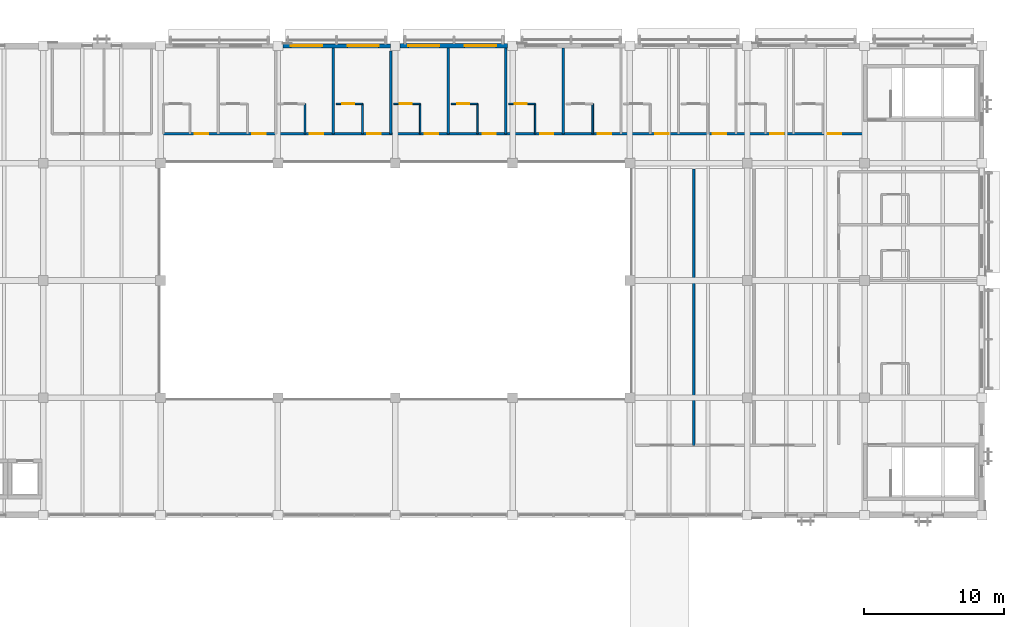
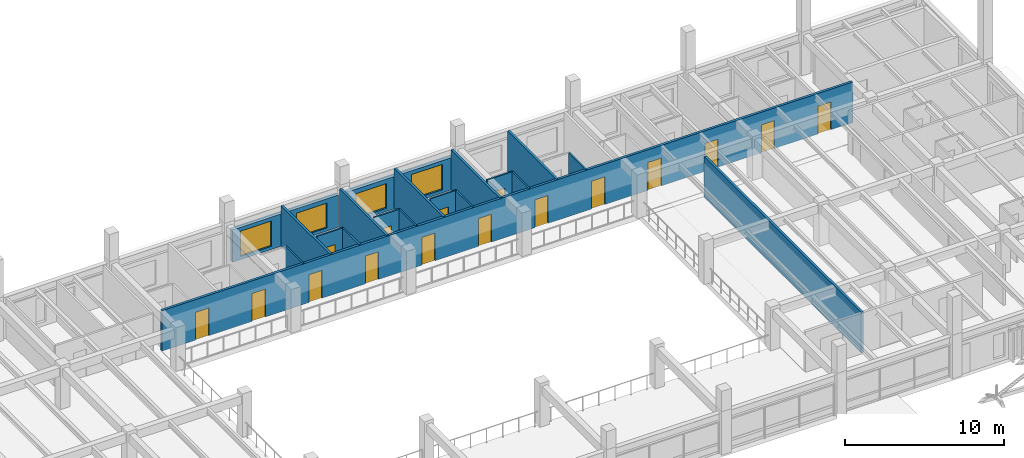
# One storey, part 94 of 123: 19 walls, 16 doors, 4 windows, 20 openings.
"""IFC4 building model written with IfcOpenShell, lengths in metres."""

from ifc_helpers import new_model, si_unit, direction, frame, frame_2d, origin, place, context, subcontext, project, spatial, rectangle, extrude, material, layer, layer_set, type_object, element, fill, save


model = new_model("IFC4")

# Units and contexts
model_context = context("Model", 3, precision=1e-05, world=origin(), true_north=direction((0.0, 1.0)))
body_context = subcontext(model_context, "Body", "Model", "MODEL_VIEW")
ifc_project = project(units=[si_unit("LENGTHUNIT", "METRE"), si_unit("AREAUNIT", "SQUARE_METRE"), si_unit("VOLUMEUNIT", "CUBIC_METRE"), si_unit("PLANEANGLEUNIT", "RADIAN"), si_unit("MASSUNIT", "GRAM", prefix="KILO")], contexts=[model_context])

# Site, building, storey
site_placement = place(None, origin())
site = spatial("IfcSite", under=ifc_project, at=site_placement, CompositionType="ELEMENT")
building_placement = place(site_placement, origin())
building = spatial("IfcBuilding", under=site, at=building_placement, Name="Cumbredor Promenade Congress Hotel", CompositionType="ELEMENT")
storey_placement = place(building_placement, frame((0.0, 0.0, 11.760009765625)))
storey = spatial("IfcBuildingStorey", under=building, at=storey_placement, Name="L03", CompositionType="ELEMENT", Elevation=11.760009765625)

# Wall
ifc_material_1 = material(Name="Moisture-resistant gypsum board on steel studs", Category="steel")
ifc_layer_1 = layer(ifc_material_1, 0.114990234375, Name="Moisture-resistant gypsum board on steel studs", Category="steel")
ifc_layer_set_1 = layer_set([ifc_layer_1], Name="Moisture-resistant gypsum board on steel studs")
wall_type_1 = type_object("IfcWallType", Name="WL-BATH-115", PredefinedType="PARTITIONING", material=ifc_layer_set_1)
wall_1_placement = place(storey_placement, frame((127.93994140625, 111.300048828125, 0.0), z_axis=(0.0, 0.0, 1.0), x_axis=(0.0, 1.0, 0.0)))
element("IfcWall", 1, at=wall_1_placement, inside=storey, type_object=wall_type_1, Name="L03 Interior Partition W-L03-FBV-F0303", PredefinedType="PARTITIONING", context=body_context, shape_type="SweptSolid", body=[
    extrude(rectangle(XDim=2.14990234375, YDim=0.114990234375, at=frame_2d((1.074951171875, 0.0))), origin(), (0.0, 0.0, 1.0), 3.125),
])

# Wall, opening, door
wall_2_placement = place(storey_placement, frame((130.159912109375, 113.449951171875, 0.0), z_axis=(0.0, 0.0, 1.0), x_axis=(1.0, 0.0, 0.0)))
wall_2 = element("IfcWall", 2, at=wall_2_placement, inside=storey, type_object=wall_type_1, Name="L03 Interior Partition W-L03-FBH-F0304", PredefinedType="PARTITIONING", context=body_context, shape_type="SweptSolid", body=[
    extrude(rectangle(XDim=1.900146484375, YDim=0.114990234375, at=frame_2d((0.9501953125, 0.0))), origin(), (0.0, 0.0, 1.0), 3.125),
])
opening_1_placement = place(wall_2_placement, frame((0.449951171875, 0.0, 0.0)))
opening_1 = element("IfcOpeningElement", 3, at=opening_1_placement, cuts=wall_2, Name="Opening ID-01", PredefinedType="OPENING", context=body_context, shape_type="SweptSolid", body=[
    extrude(rectangle(XDim=0.860107421875, YDim=2.050048828125, at=frame_2d((0.43017578125, 1.02490234375))), frame((0.0, 0.0673828125, 0.0), z_axis=(0.0, -1.0, 0.0), x_axis=(1.0, 0.0, 0.0)), (0.0, 0.0, 1.0), 0.135009765625),
])
ifc_material_2 = material(Name="Kiln-dried tropical hardwood", Category="wood")
door_type_1 = type_object("IfcDoorType", Name="DR-BATH-860", OperationType="NOTDEFINED", PredefinedType="DOOR", material=ifc_material_2)
door_1_placement = place(opening_1_placement, origin())
door_1 = element("IfcDoor", 4, at=door_1_placement, inside=storey, type_object=door_type_1, Name="L03 Interior Door W-L03-FBH-F0304-01", OperationType="SINGLE_SWING_RIGHT", OverallHeight=2.050048828125, OverallWidth=0.860107421875, PredefinedType="DOOR", context=body_context, shape_type="SweptSolid", body=[
    extrude(rectangle(XDim=0.860107421875, YDim=2.050048828125, at=frame_2d((0.43017578125, 1.02490234375))), frame((0.0, 0.02490234375, 0.0), z_axis=(0.0, -1.0, 0.0), x_axis=(1.0, 0.0, 0.0)), (0.0, 0.0, 1.0), 0.050048828125),
])
fill(opening_1, door_1)

# Wall
wall_3_placement = place(storey_placement, frame((132.06005859375, 111.300048828125, 0.0), z_axis=(0.0, 0.0, 1.0), x_axis=(0.0, 1.0, 0.0)))
element("IfcWall", 5, at=wall_3_placement, inside=storey, type_object=wall_type_1, Name="L03 Interior Partition W-L03-FBV-F0304", PredefinedType="PARTITIONING", context=body_context, shape_type="SweptSolid", body=[
    extrude(rectangle(XDim=2.14990234375, YDim=0.114990234375, at=frame_2d((1.074951171875, 0.0))), origin(), (0.0, 0.0, 1.0), 3.125),
])

# Wall, opening, door
wall_4_placement = place(storey_placement, frame((134.280029296875, 113.449951171875, 0.0), z_axis=(0.0, 0.0, 1.0), x_axis=(1.0, 0.0, 0.0)))
wall_4 = element("IfcWall", 6, at=wall_4_placement, inside=storey, type_object=wall_type_1, Name="L03 Interior Partition W-L03-FBH-F0305", PredefinedType="PARTITIONING", context=body_context, shape_type="SweptSolid", body=[
    extrude(rectangle(XDim=1.89990234375, YDim=0.114990234375, at=frame_2d((0.949951171875, 0.0))), origin(), (0.0, 0.0, 1.0), 3.125),
])
opening_2_placement = place(wall_4_placement, frame((0.449951171875, 0.0, 0.0)))
opening_2 = element("IfcOpeningElement", 7, at=opening_2_placement, cuts=wall_4, Name="Opening ID-01", PredefinedType="OPENING", context=body_context, shape_type="SweptSolid", body=[
    extrude(rectangle(XDim=0.860107421875, YDim=2.050048828125, at=frame_2d((0.43017578125, 1.02490234375))), frame((0.0, 0.0673828125, 0.0), z_axis=(0.0, -1.0, 0.0), x_axis=(1.0, 0.0, 0.0)), (0.0, 0.0, 1.0), 0.135009765625),
])
door_2_placement = place(opening_2_placement, origin())
door_2 = element("IfcDoor", 8, at=door_2_placement, inside=storey, type_object=door_type_1, Name="L03 Interior Door W-L03-FBH-F0305-01", OperationType="SINGLE_SWING_LEFT", OverallHeight=2.050048828125, OverallWidth=0.860107421875, PredefinedType="DOOR", context=body_context, shape_type="SweptSolid", body=[
    extrude(rectangle(XDim=0.860107421875, YDim=2.050048828125, at=frame_2d((0.43017578125, 1.02490234375))), frame((0.0, 0.02490234375, 0.0), z_axis=(0.0, -1.0, 0.0), x_axis=(1.0, 0.0, 0.0)), (0.0, 0.0, 1.0), 0.050048828125),
])
fill(opening_2, door_2)

# Wall
wall_5_placement = place(storey_placement, frame((136.179931640625, 111.300048828125, 0.0), z_axis=(0.0, 0.0, 1.0), x_axis=(0.0, 1.0, 0.0)))
element("IfcWall", 9, at=wall_5_placement, inside=storey, type_object=wall_type_1, Name="L03 Interior Partition W-L03-FBV-F0305", PredefinedType="PARTITIONING", context=body_context, shape_type="SweptSolid", body=[
    extrude(rectangle(XDim=2.14990234375, YDim=0.114990234375, at=frame_2d((1.074951171875, 0.0))), origin(), (0.0, 0.0, 1.0), 3.125),
])

# Wall, opening, door
wall_6_placement = place(storey_placement, frame((138.39990234375, 113.449951171875, 0.0), z_axis=(0.0, 0.0, 1.0), x_axis=(1.0, 0.0, 0.0)))
wall_6 = element("IfcWall", 10, at=wall_6_placement, inside=storey, type_object=wall_type_1, Name="L03 Interior Partition W-L03-FBH-F0306", PredefinedType="PARTITIONING", context=body_context, shape_type="SweptSolid", body=[
    extrude(rectangle(XDim=1.900146484375, YDim=0.114990234375, at=frame_2d((0.9501953125, 0.0))), origin(), (0.0, 0.0, 1.0), 3.125),
])
opening_3_placement = place(wall_6_placement, frame((0.449951171875, 0.0, 0.0)))
opening_3 = element("IfcOpeningElement", 11, at=opening_3_placement, cuts=wall_6, Name="Opening ID-01", PredefinedType="OPENING", context=body_context, shape_type="SweptSolid", body=[
    extrude(rectangle(XDim=0.860107421875, YDim=2.050048828125, at=frame_2d((0.43017578125, 1.02490234375))), frame((0.0, 0.0673828125, 0.0), z_axis=(0.0, -1.0, 0.0), x_axis=(1.0, 0.0, 0.0)), (0.0, 0.0, 1.0), 0.135009765625),
])
door_3_placement = place(opening_3_placement, origin())
door_3 = element("IfcDoor", 12, at=door_3_placement, inside=storey, type_object=door_type_1, Name="L03 Interior Door W-L03-FBH-F0306-01", OperationType="SINGLE_SWING_RIGHT", OverallHeight=2.050048828125, OverallWidth=0.860107421875, PredefinedType="DOOR", context=body_context, shape_type="SweptSolid", body=[
    extrude(rectangle(XDim=0.860107421875, YDim=2.050048828125, at=frame_2d((0.43017578125, 1.02490234375))), frame((0.0, 0.02490234375, 0.0), z_axis=(0.0, -1.0, 0.0), x_axis=(1.0, 0.0, 0.0)), (0.0, 0.0, 1.0), 0.050048828125),
])
fill(opening_3, door_3)

# Wall
wall_7_placement = place(storey_placement, frame((140.300048828125, 111.300048828125, 0.0), z_axis=(0.0, 0.0, 1.0), x_axis=(0.0, 1.0, 0.0)))
element("IfcWall", 13, at=wall_7_placement, inside=storey, type_object=wall_type_1, Name="L03 Interior Partition W-L03-FBV-F0306", PredefinedType="PARTITIONING", context=body_context, shape_type="SweptSolid", body=[
    extrude(rectangle(XDim=2.14990234375, YDim=0.114990234375, at=frame_2d((1.074951171875, 0.0))), origin(), (0.0, 0.0, 1.0), 3.125),
])

# Wall, opening, door
wall_8_placement = place(storey_placement, frame((142.52001953125, 113.449951171875, 0.0), z_axis=(0.0, 0.0, 1.0), x_axis=(1.0, 0.0, 0.0)))
wall_8 = element("IfcWall", 14, at=wall_8_placement, inside=storey, type_object=wall_type_1, Name="L03 Interior Partition W-L03-FBH-F0307", PredefinedType="PARTITIONING", context=body_context, shape_type="SweptSolid", body=[
    extrude(rectangle(XDim=1.89990234375, YDim=0.114990234375, at=frame_2d((0.949951171875, 0.0))), origin(), (0.0, 0.0, 1.0), 3.125),
])
opening_4_placement = place(wall_8_placement, frame((0.449951171875, 0.0, 0.0)))
opening_4 = element("IfcOpeningElement", 15, at=opening_4_placement, cuts=wall_8, Name="Opening ID-01", PredefinedType="OPENING", context=body_context, shape_type="SweptSolid", body=[
    extrude(rectangle(XDim=0.860107421875, YDim=2.050048828125, at=frame_2d((0.43017578125, 1.02490234375))), frame((0.0, 0.0673828125, 0.0), z_axis=(0.0, -1.0, 0.0), x_axis=(1.0, 0.0, 0.0)), (0.0, 0.0, 1.0), 0.135009765625),
])
door_4_placement = place(opening_4_placement, origin())
door_4 = element("IfcDoor", 16, at=door_4_placement, inside=storey, type_object=door_type_1, Name="L03 Interior Door W-L03-FBH-F0307-01", OperationType="SINGLE_SWING_LEFT", OverallHeight=2.050048828125, OverallWidth=0.860107421875, PredefinedType="DOOR", context=body_context, shape_type="SweptSolid", body=[
    extrude(rectangle(XDim=0.860107421875, YDim=2.050048828125, at=frame_2d((0.43017578125, 1.02490234375))), frame((0.0, 0.02490234375, 0.0), z_axis=(0.0, -1.0, 0.0), x_axis=(1.0, 0.0, 0.0)), (0.0, 0.0, 1.0), 0.050048828125),
])
fill(opening_4, door_4)

# Walls
for number, where, z_axis, x_axis, name in (
    (17, (144.419921875, 111.300048828125, 0.0), (0.0, 0.0, 1.0), (0.0, 1.0, 0.0), "L03 Interior Partition W-L03-FBV-F0307"),
    (18, (148.5400390625, 111.300048828125, 0.0), (0.0, 0.0, 1.0), (0.0, 1.0, 0.0), "L03 Interior Partition W-L03-FBV-F0308"),
):
    element("IfcWall", number, at=place(storey_placement, frame(where, z_axis=z_axis, x_axis=x_axis)), inside=storey, type_object=wall_type_1, Name=name, PredefinedType="PARTITIONING", context=body_context, shape_type="SweptSolid", body=[
        extrude(rectangle(XDim=2.14990234375, YDim=0.114990234375, at=frame_2d((1.074951171875, 0.0))), origin(), (0.0, 0.0, 1.0), 3.125),
    ])

# Wall, openings, doors
ifc_material_3 = material(Name="Fire-rated hotel corridor wall")
ifc_layer_2 = layer(ifc_material_3, 0.179931640625, Name="Fire-rated hotel corridor wall")
ifc_layer_set_2 = layer_set([ifc_layer_2], Name="Fire-rated hotel corridor wall")
wall_type_2 = type_object("IfcWallType", Name="WL-CORR-180", PredefinedType="PARTITIONING", material=ifc_layer_set_2)
wall_9_placement = place(storey_placement, frame((117.60009765625, 111.300048828125, 0.0), z_axis=(0.0, 0.0, 1.0), x_axis=(1.0, 0.0, 0.0)))
wall_9 = element("IfcWall", 19, at=wall_9_placement, inside=storey, type_object=wall_type_2, Name="L03 Interior Partition W-L03-FCORRW", PredefinedType="PARTITIONING", context=body_context, shape_type="SweptSolid", body=[
    extrude(rectangle(XDim=50.31982421875, YDim=0.179931640625, at=frame_2d((25.159912109375, 0.0))), origin(), (0.0, 0.0, 1.0), 3.125),
])
opening_5_placement = place(wall_9_placement, frame((2.449951171875, 0.0, 0.0)))
opening_5 = element("IfcOpeningElement", 20, at=opening_5_placement, cuts=wall_9, Name="Opening FD-01", PredefinedType="OPENING", context=body_context, shape_type="SweptSolid", body=[
    extrude(rectangle(XDim=0.9599609375, YDim=2.14990234375, at=frame_2d((0.47998046875, 1.074951171875))), frame((0.0, 0.10009765625, 0.0), z_axis=(0.0, -1.0, 0.0), x_axis=(1.0, 0.0, 0.0)), (0.0, 0.0, 1.0), 0.199951171875),
])
opening_6_placement = place(wall_9_placement, frame((6.570068359375, 0.0, 0.0)))
opening_6 = element("IfcOpeningElement", 21, at=opening_6_placement, cuts=wall_9, Name="Opening FD-01", PredefinedType="OPENING", context=body_context, shape_type="SweptSolid", body=[
    extrude(rectangle(XDim=0.9599609375, YDim=2.14990234375, at=frame_2d((0.47998046875, 1.074951171875))), frame((0.0, 0.10009765625, 0.0), z_axis=(0.0, -1.0, 0.0), x_axis=(1.0, 0.0, 0.0)), (0.0, 0.0, 1.0), 0.199951171875),
])
opening_7_placement = place(wall_9_placement, frame((10.68994140625, 0.0, 0.0)))
opening_7 = element("IfcOpeningElement", 22, at=opening_7_placement, cuts=wall_9, Name="Opening FD-01", PredefinedType="OPENING", context=body_context, shape_type="SweptSolid", body=[
    extrude(rectangle(XDim=0.9599609375, YDim=2.14990234375, at=frame_2d((0.47998046875, 1.074951171875))), frame((0.0, 0.10009765625, 0.0), z_axis=(0.0, -1.0, 0.0), x_axis=(1.0, 0.0, 0.0)), (0.0, 0.0, 1.0), 0.199951171875),
])
opening_8_placement = place(wall_9_placement, frame((14.81005859375, 0.0, 0.0)))
opening_8 = element("IfcOpeningElement", 23, at=opening_8_placement, cuts=wall_9, Name="Opening FD-01", PredefinedType="OPENING", context=body_context, shape_type="SweptSolid", body=[
    extrude(rectangle(XDim=0.9599609375, YDim=2.14990234375, at=frame_2d((0.47998046875, 1.074951171875))), frame((0.0, 0.10009765625, 0.0), z_axis=(0.0, -1.0, 0.0), x_axis=(1.0, 0.0, 0.0)), (0.0, 0.0, 1.0), 0.199951171875),
])
opening_9_placement = place(wall_9_placement, frame((18.929931640625, 0.0, 0.0)))
opening_9 = element("IfcOpeningElement", 24, at=opening_9_placement, cuts=wall_9, Name="Opening FD-01", PredefinedType="OPENING", context=body_context, shape_type="SweptSolid", body=[
    extrude(rectangle(XDim=0.9599609375, YDim=2.14990234375, at=frame_2d((0.47998046875, 1.074951171875))), frame((0.0, 0.10009765625, 0.0), z_axis=(0.0, -1.0, 0.0), x_axis=(1.0, 0.0, 0.0)), (0.0, 0.0, 1.0), 0.199951171875),
])
opening_10_placement = place(wall_9_placement, frame((23.050048828125, 0.0, 0.0)))
opening_10 = element("IfcOpeningElement", 25, at=opening_10_placement, cuts=wall_9, Name="Opening FD-01", PredefinedType="OPENING", context=body_context, shape_type="SweptSolid", body=[
    extrude(rectangle(XDim=0.9599609375, YDim=2.14990234375, at=frame_2d((0.47998046875, 1.074951171875))), frame((0.0, 0.10009765625, 0.0), z_axis=(0.0, -1.0, 0.0), x_axis=(1.0, 0.0, 0.0)), (0.0, 0.0, 1.0), 0.199951171875),
])
opening_11_placement = place(wall_9_placement, frame((27.169921875, 0.0, 0.0)))
opening_11 = element("IfcOpeningElement", 26, at=opening_11_placement, cuts=wall_9, Name="Opening FD-01", PredefinedType="OPENING", context=body_context, shape_type="SweptSolid", body=[
    extrude(rectangle(XDim=0.9599609375, YDim=2.14990234375, at=frame_2d((0.47998046875, 1.074951171875))), frame((0.0, 0.10009765625, 0.0), z_axis=(0.0, -1.0, 0.0), x_axis=(1.0, 0.0, 0.0)), (0.0, 0.0, 1.0), 0.199951171875),
])
opening_12_placement = place(wall_9_placement, frame((31.2900390625, 0.0, 0.0)))
opening_12 = element("IfcOpeningElement", 27, at=opening_12_placement, cuts=wall_9, Name="Opening FD-01", PredefinedType="OPENING", context=body_context, shape_type="SweptSolid", body=[
    extrude(rectangle(XDim=0.9599609375, YDim=2.14990234375, at=frame_2d((0.47998046875, 1.074951171875))), frame((0.0, 0.10009765625, 0.0), z_axis=(0.0, -1.0, 0.0), x_axis=(1.0, 0.0, 0.0)), (0.0, 0.0, 1.0), 0.199951171875),
])
opening_13_placement = place(wall_9_placement, frame((35.409912109375, 0.0, 0.0)))
opening_13 = element("IfcOpeningElement", 28, at=opening_13_placement, cuts=wall_9, Name="Opening FD-01", PredefinedType="OPENING", context=body_context, shape_type="SweptSolid", body=[
    extrude(rectangle(XDim=0.9599609375, YDim=2.14990234375, at=frame_2d((0.47998046875, 1.074951171875))), frame((0.0, 0.10009765625, 0.0), z_axis=(0.0, -1.0, 0.0), x_axis=(1.0, 0.0, 0.0)), (0.0, 0.0, 1.0), 0.199951171875),
])
opening_14_placement = place(wall_9_placement, frame((39.530029296875, 0.0, 0.0)))
opening_14 = element("IfcOpeningElement", 29, at=opening_14_placement, cuts=wall_9, Name="Opening FD-01", PredefinedType="OPENING", context=body_context, shape_type="SweptSolid", body=[
    extrude(rectangle(XDim=0.9599609375, YDim=2.14990234375, at=frame_2d((0.47998046875, 1.074951171875))), frame((0.0, 0.10009765625, 0.0), z_axis=(0.0, -1.0, 0.0), x_axis=(1.0, 0.0, 0.0)), (0.0, 0.0, 1.0), 0.199951171875),
])
opening_15_placement = place(wall_9_placement, frame((43.64990234375, 0.0, 0.0)))
opening_15 = element("IfcOpeningElement", 30, at=opening_15_placement, cuts=wall_9, Name="Opening FD-01", PredefinedType="OPENING", context=body_context, shape_type="SweptSolid", body=[
    extrude(rectangle(XDim=0.9599609375, YDim=2.14990234375, at=frame_2d((0.47998046875, 1.074951171875))), frame((0.0, 0.10009765625, 0.0), z_axis=(0.0, -1.0, 0.0), x_axis=(1.0, 0.0, 0.0)), (0.0, 0.0, 1.0), 0.199951171875),
])
opening_16_placement = place(wall_9_placement, frame((47.77001953125, 0.0, 0.0)))
opening_16 = element("IfcOpeningElement", 31, at=opening_16_placement, cuts=wall_9, Name="Opening FD-01", PredefinedType="OPENING", context=body_context, shape_type="SweptSolid", body=[
    extrude(rectangle(XDim=0.9599609375, YDim=2.14990234375, at=frame_2d((0.47998046875, 1.074951171875))), frame((0.0, 0.10009765625, 0.0), z_axis=(0.0, -1.0, 0.0), x_axis=(1.0, 0.0, 0.0)), (0.0, 0.0, 1.0), 0.199951171875),
])
ifc_material_4 = material(Name="Solid-core fire-rated tropical hardwood", Category="wood")
door_type_2 = type_object("IfcDoorType", Name="DR-GUEST-FD30-950", OperationType="NOTDEFINED", PredefinedType="DOOR", material=ifc_material_4)
door_5_placement = place(opening_5_placement, origin())
door_5 = element("IfcDoor", 32, at=door_5_placement, inside=storey, type_object=door_type_2, Name="L03 Interior Door W-L03-FCORRW-01", OperationType="SINGLE_SWING_RIGHT", OverallHeight=2.14990234375, OverallWidth=0.9599609375, PredefinedType="DOOR", context=body_context, shape_type="SweptSolid", body=[
    extrude(rectangle(XDim=0.9599609375, YDim=2.14990234375, at=frame_2d((0.47998046875, 1.074951171875))), frame((0.0, 0.02490234375, 0.0), z_axis=(0.0, -1.0, 0.0), x_axis=(1.0, 0.0, 0.0)), (0.0, 0.0, 1.0), 0.050048828125),
])
fill(opening_5, door_5)
door_6_placement = place(opening_6_placement, origin())
door_6 = element("IfcDoor", 33, at=door_6_placement, inside=storey, type_object=door_type_2, Name="L03 Interior Door W-L03-FCORRW-02", OperationType="SINGLE_SWING_LEFT", OverallHeight=2.14990234375, OverallWidth=0.9599609375, PredefinedType="DOOR", context=body_context, shape_type="SweptSolid", body=[
    extrude(rectangle(XDim=0.9599609375, YDim=2.14990234375, at=frame_2d((0.47998046875, 1.074951171875))), frame((0.0, 0.02490234375, 0.0), z_axis=(0.0, -1.0, 0.0), x_axis=(1.0, 0.0, 0.0)), (0.0, 0.0, 1.0), 0.050048828125),
])
fill(opening_6, door_6)
door_7_placement = place(opening_7_placement, origin())
door_7 = element("IfcDoor", 34, at=door_7_placement, inside=storey, type_object=door_type_2, Name="L03 Interior Door W-L03-FCORRW-03", OperationType="SINGLE_SWING_RIGHT", OverallHeight=2.14990234375, OverallWidth=0.9599609375, PredefinedType="DOOR", context=body_context, shape_type="SweptSolid", body=[
    extrude(rectangle(XDim=0.9599609375, YDim=2.14990234375, at=frame_2d((0.47998046875, 1.074951171875))), frame((0.0, 0.02490234375, 0.0), z_axis=(0.0, -1.0, 0.0), x_axis=(1.0, 0.0, 0.0)), (0.0, 0.0, 1.0), 0.050048828125),
])
fill(opening_7, door_7)
door_8_placement = place(opening_8_placement, origin())
door_8 = element("IfcDoor", 35, at=door_8_placement, inside=storey, type_object=door_type_2, Name="L03 Interior Door W-L03-FCORRW-04", OperationType="SINGLE_SWING_LEFT", OverallHeight=2.14990234375, OverallWidth=0.9599609375, PredefinedType="DOOR", context=body_context, shape_type="SweptSolid", body=[
    extrude(rectangle(XDim=0.9599609375, YDim=2.14990234375, at=frame_2d((0.47998046875, 1.074951171875))), frame((0.0, 0.02490234375, 0.0), z_axis=(0.0, -1.0, 0.0), x_axis=(1.0, 0.0, 0.0)), (0.0, 0.0, 1.0), 0.050048828125),
])
fill(opening_8, door_8)
door_9_placement = place(opening_9_placement, origin())
door_9 = element("IfcDoor", 36, at=door_9_placement, inside=storey, type_object=door_type_2, Name="L03 Interior Door W-L03-FCORRW-05", OperationType="SINGLE_SWING_RIGHT", OverallHeight=2.14990234375, OverallWidth=0.9599609375, PredefinedType="DOOR", context=body_context, shape_type="SweptSolid", body=[
    extrude(rectangle(XDim=0.9599609375, YDim=2.14990234375, at=frame_2d((0.47998046875, 1.074951171875))), frame((0.0, 0.02490234375, 0.0), z_axis=(0.0, -1.0, 0.0), x_axis=(1.0, 0.0, 0.0)), (0.0, 0.0, 1.0), 0.050048828125),
])
fill(opening_9, door_9)
door_10_placement = place(opening_10_placement, origin())
door_10 = element("IfcDoor", 37, at=door_10_placement, inside=storey, type_object=door_type_2, Name="L03 Interior Door W-L03-FCORRW-06", OperationType="SINGLE_SWING_LEFT", OverallHeight=2.14990234375, OverallWidth=0.9599609375, PredefinedType="DOOR", context=body_context, shape_type="SweptSolid", body=[
    extrude(rectangle(XDim=0.9599609375, YDim=2.14990234375, at=frame_2d((0.47998046875, 1.074951171875))), frame((0.0, 0.02490234375, 0.0), z_axis=(0.0, -1.0, 0.0), x_axis=(1.0, 0.0, 0.0)), (0.0, 0.0, 1.0), 0.050048828125),
])
fill(opening_10, door_10)
door_11_placement = place(opening_11_placement, origin())
door_11 = element("IfcDoor", 38, at=door_11_placement, inside=storey, type_object=door_type_2, Name="L03 Interior Door W-L03-FCORRW-07", OperationType="SINGLE_SWING_RIGHT", OverallHeight=2.14990234375, OverallWidth=0.9599609375, PredefinedType="DOOR", context=body_context, shape_type="SweptSolid", body=[
    extrude(rectangle(XDim=0.9599609375, YDim=2.14990234375, at=frame_2d((0.47998046875, 1.074951171875))), frame((0.0, 0.02490234375, 0.0), z_axis=(0.0, -1.0, 0.0), x_axis=(1.0, 0.0, 0.0)), (0.0, 0.0, 1.0), 0.050048828125),
])
fill(opening_11, door_11)
door_12_placement = place(opening_12_placement, origin())
door_12 = element("IfcDoor", 39, at=door_12_placement, inside=storey, type_object=door_type_2, Name="L03 Interior Door W-L03-FCORRW-08", OperationType="SINGLE_SWING_LEFT", OverallHeight=2.14990234375, OverallWidth=0.9599609375, PredefinedType="DOOR", context=body_context, shape_type="SweptSolid", body=[
    extrude(rectangle(XDim=0.9599609375, YDim=2.14990234375, at=frame_2d((0.47998046875, 1.074951171875))), frame((0.0, 0.02490234375, 0.0), z_axis=(0.0, -1.0, 0.0), x_axis=(1.0, 0.0, 0.0)), (0.0, 0.0, 1.0), 0.050048828125),
])
fill(opening_12, door_12)
door_13_placement = place(opening_13_placement, origin())
door_13 = element("IfcDoor", 40, at=door_13_placement, inside=storey, type_object=door_type_2, Name="L03 Interior Door W-L03-FCORRW-09", OperationType="SINGLE_SWING_RIGHT", OverallHeight=2.14990234375, OverallWidth=0.9599609375, PredefinedType="DOOR", context=body_context, shape_type="SweptSolid", body=[
    extrude(rectangle(XDim=0.9599609375, YDim=2.14990234375, at=frame_2d((0.47998046875, 1.074951171875))), frame((0.0, 0.02490234375, 0.0), z_axis=(0.0, -1.0, 0.0), x_axis=(1.0, 0.0, 0.0)), (0.0, 0.0, 1.0), 0.050048828125),
])
fill(opening_13, door_13)
door_14_placement = place(opening_14_placement, origin())
door_14 = element("IfcDoor", 41, at=door_14_placement, inside=storey, type_object=door_type_2, Name="L03 Interior Door W-L03-FCORRW-10", OperationType="SINGLE_SWING_LEFT", OverallHeight=2.14990234375, OverallWidth=0.9599609375, PredefinedType="DOOR", context=body_context, shape_type="SweptSolid", body=[
    extrude(rectangle(XDim=0.9599609375, YDim=2.14990234375, at=frame_2d((0.47998046875, 1.074951171875))), frame((0.0, 0.02490234375, 0.0), z_axis=(0.0, -1.0, 0.0), x_axis=(1.0, 0.0, 0.0)), (0.0, 0.0, 1.0), 0.050048828125),
])
fill(opening_14, door_14)
door_15_placement = place(opening_15_placement, origin())
door_15 = element("IfcDoor", 42, at=door_15_placement, inside=storey, type_object=door_type_2, Name="L03 Interior Door W-L03-FCORRW-11", OperationType="SINGLE_SWING_RIGHT", OverallHeight=2.14990234375, OverallWidth=0.9599609375, PredefinedType="DOOR", context=body_context, shape_type="SweptSolid", body=[
    extrude(rectangle(XDim=0.9599609375, YDim=2.14990234375, at=frame_2d((0.47998046875, 1.074951171875))), frame((0.0, 0.02490234375, 0.0), z_axis=(0.0, -1.0, 0.0), x_axis=(1.0, 0.0, 0.0)), (0.0, 0.0, 1.0), 0.050048828125),
])
fill(opening_15, door_15)
door_16_placement = place(opening_16_placement, origin())
door_16 = element("IfcDoor", 43, at=door_16_placement, inside=storey, type_object=door_type_2, Name="L03 Interior Door W-L03-FCORRW-12", OperationType="SINGLE_SWING_LEFT", OverallHeight=2.14990234375, OverallWidth=0.9599609375, PredefinedType="DOOR", context=body_context, shape_type="SweptSolid", body=[
    extrude(rectangle(XDim=0.9599609375, YDim=2.14990234375, at=frame_2d((0.47998046875, 1.074951171875))), frame((0.0, 0.02490234375, 0.0), z_axis=(0.0, -1.0, 0.0), x_axis=(1.0, 0.0, 0.0)), (0.0, 0.0, 1.0), 0.050048828125),
])
fill(opening_16, door_16)

# Wall, openings, windows
ifc_material_5 = material(Name="Concrete C40/50", Category="concrete")
ifc_layer_3 = layer(ifc_material_5, 0.280029296875, Name="Concrete C40/50", Category="concrete")
ifc_layer_set_3 = layer_set([ifc_layer_3], Name="Concrete C40/50")
wall_type_3 = type_object("IfcWallType", Name="WL-EXT-280", PredefinedType="SOLIDWALL", material=ifc_layer_set_3)
wall_10_placement = place(storey_placement, frame((126.35107421875, 117.60009765625, 0.0), z_axis=(0.0, 0.0, 1.0), x_axis=(1.0, 0.0, 0.0)))
wall_10 = element("IfcWall", 44, at=wall_10_placement, inside=storey, type_object=wall_type_3, Name="L03 Pre-Function and Breakout Meeting Forum North Envelope Wall 5", PredefinedType="SOLIDWALL", context=body_context, shape_type="SweptSolid", body=[
    extrude(rectangle(XDim=7.697998046875, YDim=0.280029296875, at=frame_2d((3.84912109375, 0.0))), origin(), (0.0, 0.0, 1.0), 2.493896484375),
])
opening_17_placement = place(wall_10_placement, frame((0.573974609375, 0.0, 0.25)))
opening_17 = element("IfcOpeningElement", 45, at=opening_17_placement, cuts=wall_10, Name="Opening WN-07", PredefinedType="OPENING", context=body_context, shape_type="SweptSolid", body=[
    extrude(rectangle(XDim=2.25, YDim=1.949951171875, at=frame_2d((1.125, 0.97509765625))), frame((0.0, 0.14990234375, 0.0), z_axis=(0.0, -1.0, 0.0), x_axis=(1.0, 0.0, 0.0)), (0.0, 0.0, 1.0), 0.300048828125),
])
opening_18_placement = place(wall_10_placement, frame((4.638916015625, 0.0, 0.25)))
opening_18 = element("IfcOpeningElement", 46, at=opening_18_placement, cuts=wall_10, Name="Opening WN-35", PredefinedType="OPENING", context=body_context, shape_type="SweptSolid", body=[
    extrude(rectangle(XDim=2.219970703125, YDim=1.89990234375, at=frame_2d((1.10986328125, 0.949951171875))), frame((0.0, 0.14990234375, 0.0), z_axis=(0.0, -1.0, 0.0), x_axis=(1.0, 0.0, 0.0)), (0.0, 0.0, 1.0), 0.300048828125),
])
ifc_material_6 = material(Name="Thermally broken anodized aluminium and low-E glass", Category="aluminium")
window_type_1 = type_object("IfcWindowType", Name="Hospitality Floor-to-Ceiling Window WN-07 2250x1950", PartitioningType="DOUBLE_PANEL_VERTICAL", PredefinedType="WINDOW", material=ifc_material_6)
window_1_placement = place(opening_17_placement, origin())
window_1 = element("IfcWindow", 47, at=window_1_placement, inside=storey, type_object=window_type_1, Name="L03 Wide Hospitality Window 0378", OverallHeight=1.949951171875, OverallWidth=2.25, PartitioningType="DOUBLE_PANEL_VERTICAL", PredefinedType="WINDOW", context=body_context, shape_type="SweptSolid", body=[
    extrude(rectangle(XDim=2.25, YDim=1.949951171875, at=frame_2d((1.125, 0.97509765625))), frame((0.0, 0.030029296875, 0.0), z_axis=(0.0, -1.0, 0.0), x_axis=(1.0, 0.0, 0.0)), (0.0, 0.0, 1.0), 0.06005859375),
])
fill(opening_17, window_1)
window_type_2 = type_object("IfcWindowType", Name="Hospitality Floor-to-Ceiling Window WN-35 2220x1900", PartitioningType="DOUBLE_PANEL_VERTICAL", PredefinedType="WINDOW", material=ifc_material_6)
window_2_placement = place(opening_18_placement, origin())
window_2 = element("IfcWindow", 48, at=window_2_placement, inside=storey, type_object=window_type_2, Name="L03 Wide Hospitality Window 0379", OverallHeight=1.89990234375, OverallWidth=2.219970703125, PartitioningType="DOUBLE_PANEL_VERTICAL", PredefinedType="WINDOW", context=body_context, shape_type="SweptSolid", body=[
    extrude(rectangle(XDim=2.219970703125, YDim=1.89990234375, at=frame_2d((1.10986328125, 0.949951171875))), frame((0.0, 0.030029296875, 0.0), z_axis=(0.0, -1.0, 0.0), x_axis=(1.0, 0.0, 0.0)), (0.0, 0.0, 1.0), 0.06005859375),
])
fill(opening_18, window_2)

ifc_layer_4 = layer(ifc_material_5, 0.300048828125, Name="Concrete C40/50", Category="concrete")
ifc_layer_set_4 = layer_set([ifc_layer_4], Name="Concrete C40/50")
wall_type_4 = type_object("IfcWallType", Name="WL-EXT-300", PredefinedType="SOLIDWALL", material=ifc_layer_set_4)
wall_11_placement = place(storey_placement, frame((134.7509765625, 117.60009765625, 0.0), z_axis=(0.0, 0.0, 1.0), x_axis=(1.0, 0.0, 0.0)))
wall_11 = element("IfcWall", 49, at=wall_11_placement, inside=storey, type_object=wall_type_4, Name="L03 Pre-Function and Breakout Meeting Forum North Envelope Wall 6", PredefinedType="SOLIDWALL", context=body_context, shape_type="SweptSolid", body=[
    extrude(rectangle(XDim=7.697998046875, YDim=0.300048828125, at=frame_2d((3.84912109375, 0.0))), origin(), (0.0, 0.0, 1.0), 2.493896484375),
])
opening_19_placement = place(wall_11_placement, frame((0.589111328125, 0.0, 0.25)))
opening_19 = element("IfcOpeningElement", 50, at=opening_19_placement, cuts=wall_11, Name="Opening WN-35", PredefinedType="OPENING", context=body_context, shape_type="SweptSolid", body=[
    extrude(rectangle(XDim=2.219970703125, YDim=1.89990234375, at=frame_2d((1.10986328125, 0.949951171875))), frame((0.0, 0.16015625, 0.0), z_axis=(0.0, -1.0, 0.0), x_axis=(1.0, 0.0, 0.0)), (0.0, 0.0, 1.0), 0.320068359375),
])
opening_20_placement = place(wall_11_placement, frame((4.6240234375, 0.0, 0.25)))
opening_20 = element("IfcOpeningElement", 51, at=opening_20_placement, cuts=wall_11, Name="Opening WN-07", PredefinedType="OPENING", context=body_context, shape_type="SweptSolid", body=[
    extrude(rectangle(XDim=2.25, YDim=1.949951171875, at=frame_2d((1.125, 0.97509765625))), frame((0.0, 0.16015625, 0.0), z_axis=(0.0, -1.0, 0.0), x_axis=(1.0, 0.0, 0.0)), (0.0, 0.0, 1.0), 0.320068359375),
])
window_3_placement = place(opening_20_placement, origin())
window_3 = element("IfcWindow", 52, at=window_3_placement, inside=storey, type_object=window_type_1, Name="L03 Wide Hospitality Window 0381", OverallHeight=1.949951171875, OverallWidth=2.25, PartitioningType="DOUBLE_PANEL_VERTICAL", PredefinedType="WINDOW", context=body_context, shape_type="SweptSolid", body=[
    extrude(rectangle(XDim=2.25, YDim=1.949951171875, at=frame_2d((1.125, 0.97509765625))), frame((0.0, 0.030029296875, 0.0), z_axis=(0.0, -1.0, 0.0), x_axis=(1.0, 0.0, 0.0)), (0.0, 0.0, 1.0), 0.06005859375),
])
fill(opening_20, window_3)
window_4_placement = place(opening_19_placement, origin())
window_4 = element("IfcWindow", 53, at=window_4_placement, inside=storey, type_object=window_type_2, Name="L03 Wide Hospitality Window 0380", OverallHeight=1.89990234375, OverallWidth=2.219970703125, PartitioningType="DOUBLE_PANEL_VERTICAL", PredefinedType="WINDOW", context=body_context, shape_type="SweptSolid", body=[
    extrude(rectangle(XDim=2.219970703125, YDim=1.89990234375, at=frame_2d((1.10986328125, 0.949951171875))), frame((0.0, 0.030029296875, 0.0), z_axis=(0.0, -1.0, 0.0), x_axis=(1.0, 0.0, 0.0)), (0.0, 0.0, 1.0), 0.06005859375),
])
fill(opening_19, window_4)

# Walls
ifc_material_7 = material(Name="Fire-rated acoustic double-stud partition")
ifc_layer_5 = layer(ifc_material_7, 0.1650390625, Name="Fire-rated acoustic double-stud partition")
ifc_layer_set_5 = layer_set([ifc_layer_5], Name="Fire-rated acoustic double-stud partition")
wall_type_5 = type_object("IfcWallType", Name="WL-UNIT-165", PredefinedType="PARTITIONING", material=ifc_layer_set_5)
wall_12_placement = place(storey_placement, frame((155.780029296875, 89.0, 0.0), z_axis=(0.0, 0.0, 1.0), x_axis=(0.0, 1.0, 0.0)))
element("IfcWall", 54, at=wall_12_placement, inside=storey, type_object=wall_type_5, Name="L03 Interior Partition W-L03-V4-EDIV-1", PredefinedType="PARTITIONING", context=body_context, shape_type="SweptSolid", body=[
    extrude(rectangle(XDim=19.800048828125, YDim=0.1650390625, at=frame_2d((9.89990234375, 0.0))), origin(), (0.0, 0.0, 1.0), 3.125),
])
wall_13_placement = place(storey_placement, frame((129.9599609375, 111.300048828125, 0.0), z_axis=(0.0, 0.0, 1.0), x_axis=(0.0, 1.0, 0.0)))
element("IfcWall", 55, at=wall_13_placement, inside=storey, type_object=wall_type_5, Name="L03 Interior Partition W-L03-FDIV-3", PredefinedType="PARTITIONING", context=body_context, shape_type="SweptSolid", body=[
    extrude(rectangle(XDim=6.159912109375, YDim=0.1650390625, at=frame_2d((3.080078125, 0.0))), origin(), (0.0, 0.0, 1.0), 3.125),
])
wall_14_placement = place(storey_placement, frame((134.080078125, 111.300048828125, 0.0), z_axis=(0.0, 0.0, 1.0), x_axis=(0.0, 1.0, 0.0)))
element("IfcWall", 56, at=wall_14_placement, inside=storey, type_object=wall_type_5, Name="L03 Interior Partition W-L03-FDIV-4", PredefinedType="PARTITIONING", context=body_context, shape_type="SweptSolid", body=[
    extrude(rectangle(XDim=5.919921875, YDim=0.1650390625, at=frame_2d((2.9599609375, 0.0))), origin(), (0.0, 0.0, 1.0), 3.125),
])
for number, where, z_axis, x_axis, name in (
    (57, (138.199951171875, 111.300048828125, 0.0), (0.0, 0.0, 1.0), (0.0, 1.0, 0.0), "L03 Interior Partition W-L03-FDIV-5"),
    (58, (142.320068359375, 111.300048828125, 0.0), (0.0, 0.0, 1.0), (0.0, 1.0, 0.0), "L03 Interior Partition W-L03-FDIV-6"),
):
    element("IfcWall", number, at=place(storey_placement, frame(where, z_axis=z_axis, x_axis=x_axis)), inside=storey, type_object=wall_type_5, Name=name, PredefinedType="PARTITIONING", context=body_context, shape_type="SweptSolid", body=[
        extrude(rectangle(XDim=6.14990234375, YDim=0.1650390625, at=frame_2d((3.074951171875, 0.0))), origin(), (0.0, 0.0, 1.0), 3.125),
    ])
wall_15_placement = place(storey_placement, frame((146.43994140625, 111.300048828125, 0.0), z_axis=(0.0, 0.0, 1.0), x_axis=(0.0, 1.0, 0.0)))
element("IfcWall", 59, at=wall_15_placement, inside=storey, type_object=wall_type_5, Name="L03 Interior Partition W-L03-FDIV-7", PredefinedType="PARTITIONING", context=body_context, shape_type="SweptSolid", body=[
    extrude(rectangle(XDim=6.137451171875, YDim=0.1650390625, at=frame_2d((3.06884765625, 0.0))), origin(), (0.0, 0.0, 1.0), 3.125),
])

save(model, "model.ifc")
